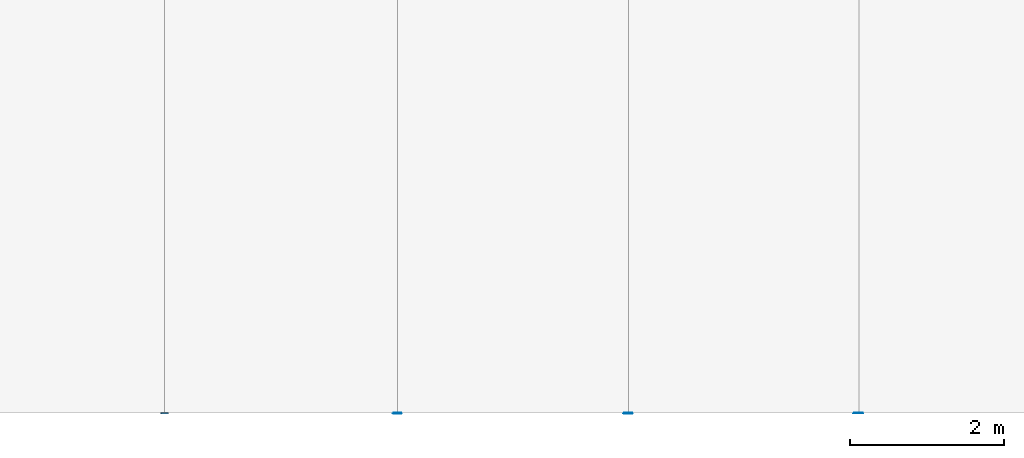
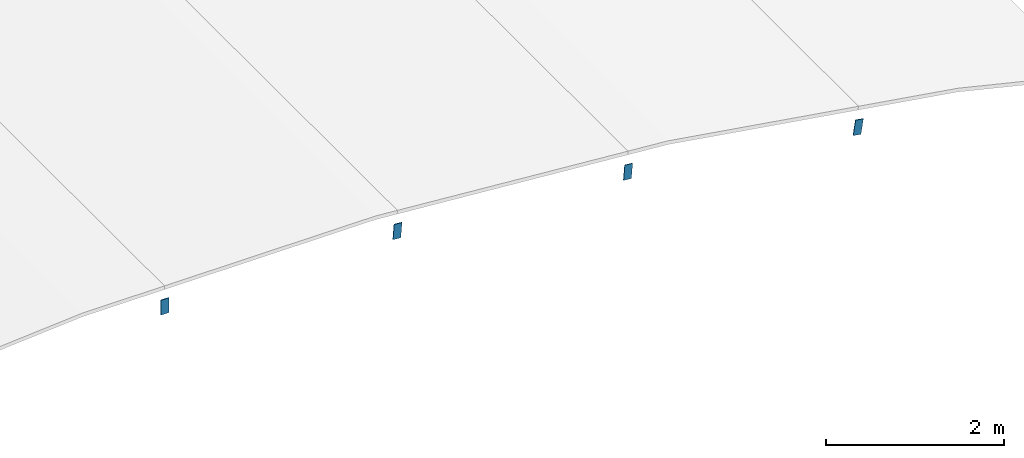
# One storey, part 2 of 13: 4 discrete accessories.
"""IFC4 building model written with IfcOpenShell, lengths in metres."""

import ifcopenshell
import ifcopenshell.guid

model = None  # the IFC model being written
_history = None  # IfcOwnerHistory: only IFC2X3 demands one
_inside = {}  # id of a spatial element -> (the spatial element, [elements in it])
_under = {}  # id of a project, library or spatial element -> (it, [spatial elements below it])
_declared = {}  # id of a project -> (the project, [libraries it declares])
_typed = {}  # id of a type object -> (the type object, [elements of that type])
_made_of = {}  # id of a material, layer set ... -> (it, [elements and type objects made of it])


def new_model(schema):
    """Start an empty IFC model of exactly this schema.

    Asked for "IFC4X3", IfcOpenShell would pick the latest addendum, in which some entities
    have other attributes; the version numbers below select the first issue.
    IFC2X3 requires an IfcOwnerHistory on every rooted entity: one is made here for all.
    """
    global model, _history
    if schema == "IFC4X3":
        model = ifcopenshell.file(schema_version=(4, 3, 0, 0))
    else:
        model = ifcopenshell.file(schema=schema)
    _inside.clear()
    _under.clear()
    _declared.clear()
    _typed.clear()
    _made_of.clear()
    _history = None
    if model.schema == "IFC2X3":
        org = make("IfcOrganization", Name="unknown")
        user = make(
            "IfcPersonAndOrganization",
            ThePerson=make("IfcPerson", FamilyName="unknown"),
            TheOrganization=org,
        )
        app = make(
            "IfcApplication",
            ApplicationDeveloper=org,
            Version="unknown",
            ApplicationFullName="unknown",
            ApplicationIdentifier="unknown",
        )
        _history = make(
            "IfcOwnerHistory",
            OwningUser=user,
            OwningApplication=app,
            ChangeAction="ADDED",
            CreationDate=0,
        )
    return model


def make(cls, **values):
    """One entity of the class cls with the attributes given. An attribute that is None is left unset."""
    return model.create_entity(
        cls, **{name: value for name, value in values.items() if value is not None}
    )


def rooted(cls, **values):
    """An entity with a GlobalId (a new one), such as an element, a storey or a relation."""
    return make(cls, GlobalId=ifcopenshell.guid.new(), OwnerHistory=_history, **values)


def si_unit(unit_type, name, prefix=None):
    """IfcSIUnit, for example si_unit("LENGTHUNIT", "METRE", prefix="MILLI")."""
    return make("IfcSIUnit", UnitType=unit_type, Prefix=prefix, Name=name)


def assignment(units):
    """IfcUnitAssignment: the units of a project."""
    return None if units is None else make("IfcUnitAssignment", Units=units)


def point(xyz):
    """IfcCartesianPoint."""
    return None if xyz is None else make("IfcCartesianPoint", Coordinates=xyz)


def direction(xyz):
    """IfcDirection."""
    return None if xyz is None else make("IfcDirection", DirectionRatios=xyz)


def frame(location, z_axis=None, x_axis=None):
    """IfcAxis2Placement3D, a coordinate frame: its origin and axes. An axis left out is left unset."""
    return make(
        "IfcAxis2Placement3D",
        Location=point(location),
        Axis=direction(z_axis),
        RefDirection=direction(x_axis),
    )


def frame_2d(location, x_axis=None):
    """IfcAxis2Placement2D, a coordinate frame in the plane: its origin and x axis."""
    return make(
        "IfcAxis2Placement2D", Location=point(location), RefDirection=direction(x_axis)
    )


def origin():
    """The frame at (0, 0, 0) with its axes left unset."""
    return frame((0.0, 0.0, 0.0))


def origin_2d():
    """The frame at (0, 0) in the plane with its x axis left unset."""
    return frame_2d((0.0, 0.0))


def place(relative_to, where):
    """IfcLocalPlacement: puts the frame where relative to a parent placement (None: the world)."""
    return make(
        "IfcLocalPlacement", PlacementRelTo=relative_to, RelativePlacement=where
    )


def context(
    kind, dimensions, precision=None, world=None, true_north=None, identifier=None
):
    """IfcGeometricRepresentationContext, for example the 3D "Model" context."""
    return make(
        "IfcGeometricRepresentationContext",
        ContextIdentifier=identifier,
        ContextType=kind,
        CoordinateSpaceDimension=dimensions,
        Precision=precision,
        WorldCoordinateSystem=world,
        TrueNorth=true_north,
    )


def subcontext(parent, identifier, kind, view, scale=None):
    """IfcGeometricRepresentationSubContext, for example "Body" below "Model"."""
    return make(
        "IfcGeometricRepresentationSubContext",
        ContextIdentifier=identifier,
        ContextType=kind,
        ParentContext=parent,
        TargetScale=scale,
        TargetView=view,
    )


def project(units=None, contexts=None):
    """IfcProject with its units and contexts."""
    return rooted(
        "IfcProject",
        Name="project",
        RepresentationContexts=contexts,
        UnitsInContext=assignment(units),
    )


def spatial(cls, under=None, at=None, **own):
    """A site, building, storey or space (cls), placed at a placement, below another one or the project."""
    s = rooted(cls, ObjectPlacement=at, **own)
    if under is not None:
        _under.setdefault(under.id(), (under, []))[1].append(s)
    return s


def profile(cls, at=None, kind="AREA", **sizes):
    """A parametric profile (cls). Its sizes go by their IFC names, for example OverallWidth=200.0."""
    return make(cls, ProfileType=kind, Position=at, **sizes)


def rectangle(**sizes):
    """IfcRectangleProfileDef."""
    return profile("IfcRectangleProfileDef", **sizes)


def extrude(swept, where, along, depth):
    """IfcExtrudedAreaSolid: the profile swept, set in the frame where, extruded along a direction by depth."""
    return make(
        "IfcExtrudedAreaSolid",
        SweptArea=swept,
        Position=where,
        ExtrudedDirection=direction(along),
        Depth=depth,
    )


def shape(context_of_items, identifier, shape_type, items):
    """IfcShapeRepresentation: the items that make up one representation, for example the "Body"."""
    return make(
        "IfcShapeRepresentation",
        ContextOfItems=context_of_items,
        RepresentationIdentifier=identifier,
        RepresentationType=shape_type,
        Items=items,
    )


def material(Name=None, Category=None):
    """IfcMaterial."""
    return make("IfcMaterial", Name=Name, Category=Category)


def material_profile(
    of_material, cross_section, Name=None, Category=None, Priority=None
):
    """IfcMaterialProfile: a cross section and its material."""
    return make(
        "IfcMaterialProfile",
        Name=Name,
        Material=of_material,
        Profile=cross_section,
        Priority=Priority,
        Category=Category,
    )


def profile_set(profiles, Name=None, composite=None):
    """IfcMaterialProfileSet."""
    return make(
        "IfcMaterialProfileSet",
        Name=Name,
        MaterialProfiles=profiles,
        CompositeProfile=composite,
    )


def made_of(thing, what):
    """Note that an element or type object is made of a material, layer set ...; save() writes the relation."""
    if what is not None:
        _made_of.setdefault(what.id(), (what, []))[1].append(thing)
    return thing


def type_object(cls, material=None, **own):
    """A type object (cls), such as IfcWallType, which elements share."""
    return made_of(rooted(cls, **own), material)


def element(
    cls,
    number,
    at=None,
    inside=None,
    cuts=None,
    type_object=None,
    material=None,
    context=None,
    identifier="Body",
    shape_type=None,
    held_by="IfcProductDefinitionShape",
    body=None,
    shapes=None,
    **own,
):
    """One element of the class cls, such as IfcWall. Its Tag is "e" and its number.

    at: its placement. inside: the storey or other place that contains it. cuts: it is an
    opening in that element (IfcRelVoidsElement). A single representation is given by context,
    identifier, shape_type and body (its items); several are given by shapes. held_by: the class
    of the entity that holds the representations. save() writes the other relations.
    """
    e = rooted(cls, Tag="e%d" % number, ObjectPlacement=at, **own)
    if body is not None:
        shapes = [shape(context, identifier, shape_type, body)]
    if shapes is not None:
        e.Representation = make(held_by, Representations=shapes)
    if inside is not None:
        _inside.setdefault(inside.id(), (inside, []))[1].append(e)
    if cuts is not None:
        rooted(
            "IfcRelVoidsElement", RelatingBuildingElement=cuts, RelatedOpeningElement=e
        )
    if type_object is not None:
        _typed.setdefault(type_object.id(), (type_object, []))[1].append(e)
    return made_of(e, material)


def aggregate(whole, parts):
    """IfcRelAggregates: a whole, such as a stair, and the parts it consists of."""
    return rooted("IfcRelAggregates", RelatingObject=whole, RelatedObjects=parts)


def save(model, path):
    """Write the relations noted so far, then the file.

    IfcRelAggregates (storeys below a building ...), IfcRelContainedInSpatialStructure (elements
    in a storey), IfcRelDefinesByType, IfcRelAssociatesMaterial and IfcRelDeclares: one each for
    every whole, place, type object, material and project.
    """
    for whole, parts in _under.values():
        aggregate(whole, parts)
    for where, things in _inside.values():
        rooted(
            "IfcRelContainedInSpatialStructure",
            RelatedElements=things,
            RelatingStructure=where,
        )
    for kind, things in _typed.values():
        rooted("IfcRelDefinesByType", RelatedObjects=things, RelatingType=kind)
    for what, things in _made_of.values():
        rooted("IfcRelAssociatesMaterial", RelatedObjects=things, RelatingMaterial=what)
    for by, libraries in _declared.values():
        rooted("IfcRelDeclares", RelatingContext=by, RelatedDefinitions=libraries)
    model.write(path)


model = new_model("IFC4")

# Units and contexts
model_context = context("Model", 3, precision=1e-05, world=origin(), true_north=direction((0.0, 1.0)))
body_context = subcontext(model_context, "Body", "Model", "MODEL_VIEW")
ifc_project = project(units=[si_unit("LENGTHUNIT", "METRE"), si_unit("AREAUNIT", "SQUARE_METRE"), si_unit("VOLUMEUNIT", "CUBIC_METRE"), si_unit("PLANEANGLEUNIT", "RADIAN"), si_unit("MASSUNIT", "GRAM", prefix="KILO")], contexts=[model_context])

# Site, building, storey
site_placement = place(None, origin())
site = spatial("IfcSite", under=ifc_project, at=site_placement, CompositionType="ELEMENT")
building_placement = place(site_placement, origin())
building = spatial("IfcBuilding", under=site, at=building_placement, Name="Verrick Yard Athletic Hall", CompositionType="ELEMENT")
storey_placement = place(building_placement, frame((0.0, 0.0, 21.5)))
storey = spatial("IfcBuildingStorey", under=building, at=storey_placement, Name="Upper Roof", CompositionType="ELEMENT", Elevation=21.5)

# Discrete accessories
ifc_material = material(Name="Structural steel 350W (CSA G40.21)", Category="steel")
ifc_material_profile = material_profile(ifc_material, rectangle(XDim=0.1015625, YDim=0.203125, at=origin_2d()), Name="STR End cap plate 203x102x9.5")
ifc_profile_set = profile_set([ifc_material_profile], Name="Structural steel 350W (CSA G40.21)")
discrete_accessory_type = type_object("IfcDiscreteAccessoryType", Name="STR End cap plate 203x102x9.5", PredefinedType="BRACKET", material=ifc_profile_set)
for number, where, z_axis, x_axis, name in (
    (1, (57.16748046875, 71.989990234375, 1.19140625), (0.0, 1.0, 0.0), (-0.996927304266, 0.0, 0.078332305011), "End cap HB-PU-B-1-11 A"),
    (2, (54.1767578125, 71.989990234375, 1.42626953125), (0.0, 1.0, 0.0), (-0.996927304266, 0.0, 0.078332305011), "End cap HB-PU-B-1-10 A"),
    (3, (60.153076171875, 71.989990234375, 0.758544921875), (0.0, 1.0, 0.0), (-0.987728086354, 0.0, 0.156183313539), "End cap HB-PU-B-1-12 A"),
    (4, (51.15966796875, 71.989990234375, 1.448974609375), (0.0, 1.0, 0.0), (-1.0, 0.0, 0.0), "End cap HB-PU-B-1-9 A"),
):
    element("IfcDiscreteAccessory", number, at=place(storey_placement, frame(where, z_axis=z_axis, x_axis=x_axis)), inside=storey, type_object=discrete_accessory_type, Name=name, PredefinedType="BRACKET", context=body_context, shape_type="SweptSolid", body=[
        extrude(rectangle(XDim=0.1015625, YDim=0.203125, at=origin_2d()), origin(), (0.0, 0.0, 1.0), 0.010009765625),
    ])

save(model, "model.ifc")
